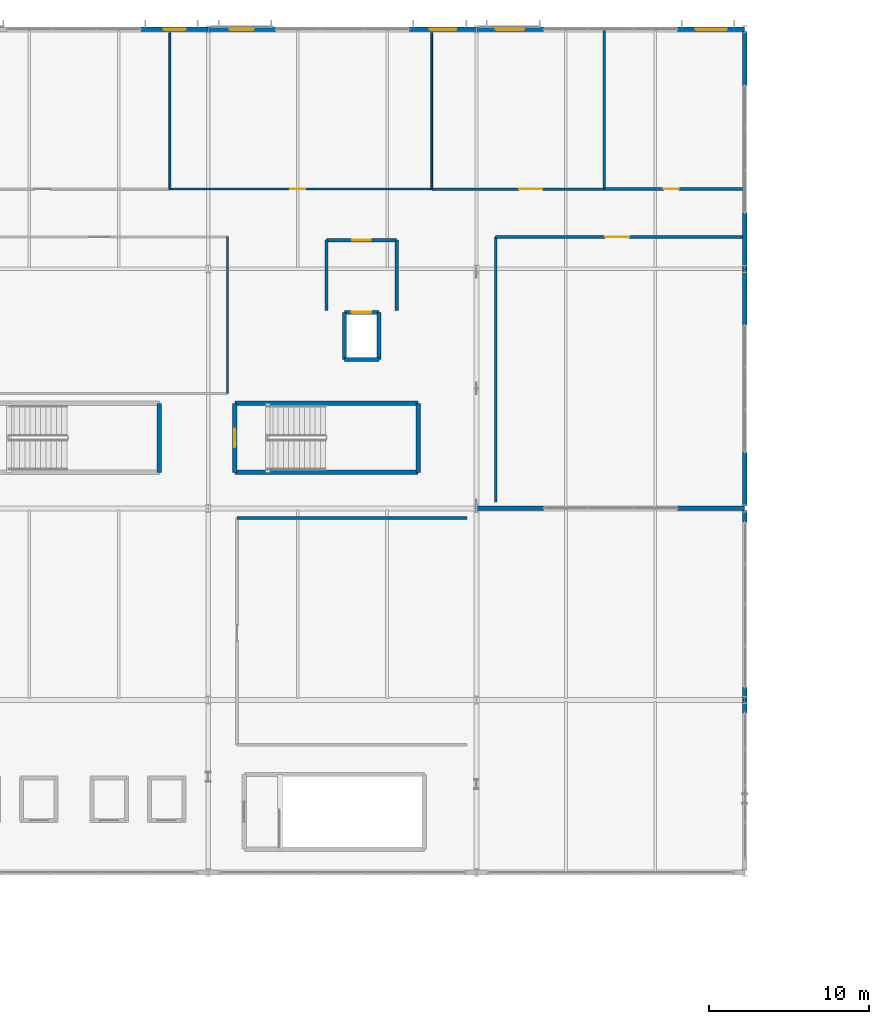
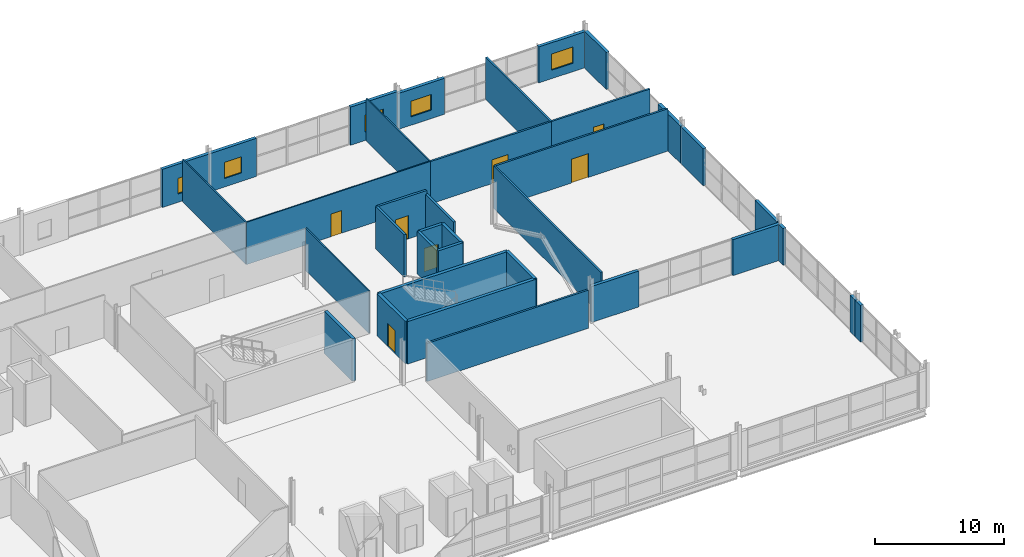
# One storey, part 33 of 39: 36 walls, 7 doors, 5 windows, 12 openings.
"""IFC4 building model written with IfcOpenShell, lengths in metres."""

from ifc_helpers import new_model, si_unit, direction, frame, frame_2d, origin, place, context, subcontext, project, spatial, rectangle, extrude, material, layer, layer_set, type_object, element, fill, save


model = new_model("IFC4")

# Units and contexts
model_context = context("Model", 3, precision=1e-05, world=origin(), true_north=direction((0.0, 1.0)))
body_context = subcontext(model_context, "Body", "Model", "MODEL_VIEW")
ifc_project = project(units=[si_unit("LENGTHUNIT", "METRE"), si_unit("AREAUNIT", "SQUARE_METRE"), si_unit("VOLUMEUNIT", "CUBIC_METRE"), si_unit("PLANEANGLEUNIT", "RADIAN"), si_unit("MASSUNIT", "GRAM", prefix="KILO")], contexts=[model_context])

# Site, building, storey
site_placement = place(None, origin())
site = spatial("IfcSite", under=ifc_project, at=site_placement, CompositionType="ELEMENT")
building_placement = place(site_placement, origin())
building = spatial("IfcBuilding", under=site, at=building_placement, Name="Kimbaza Rail Terminus", CompositionType="ELEMENT")
storey_placement = place(building_placement, frame((0.0, 0.0, 16.800048828125)))
storey = spatial("IfcBuildingStorey", under=building, at=storey_placement, Name="L03", CompositionType="ELEMENT", Elevation=16.800048828125)

# Wall, opening, window
ifc_material_1 = material(Name="Precast concrete C40/50", Category="concrete")
ifc_layer_1 = layer(ifc_material_1, 0.280029296875)
ifc_layer_set_1 = layer_set([ifc_layer_1], Name="Precast concrete C40/50")
wall_type_1 = type_object("IfcWallType", Name="ARC-WL-EXT280", PredefinedType="STANDARD", material=ifc_layer_set_1)
wall_1_placement = place(storey_placement, frame((118.199951171875, 133.0, 0.0), z_axis=(0.0, 0.0, 1.0), x_axis=(1.0, 0.0, 0.0)))
wall_1 = element("IfcWall", 1, at=wall_1_placement, inside=storey, type_object=wall_type_1, Name="Operations North Pier L03 3B", PredefinedType="STANDARD", context=body_context, shape_type="SweptSolid", body=[
    extrude(rectangle(XDim=4.199951171875, YDim=0.280029296875, at=frame_2d((2.10009765625, 0.0))), origin(), (0.0, 0.0, 1.0), 3.60498046875),
])
opening_1_placement = place(wall_1_placement, frame((1.409912109375, 0.0, 0.800048828125)))
opening_1 = element("IfcOpeningElement", 2, at=opening_1_placement, cuts=wall_1, Name="Opening W-39", PredefinedType="OPENING", context=body_context, shape_type="SweptSolid", body=[
    extrude(rectangle(XDim=1.3798828125, YDim=1.469970703125, at=frame_2d((0.68994140625, 0.73486328125))), frame((0.0, 0.14990234375, 0.0), z_axis=(0.0, -1.0, 0.0), x_axis=(1.0, 0.0, 0.0)), (0.0, 0.0, 1.0), 0.300048828125),
])
ifc_material_2 = material(Name="Thermally broken aluminium and solar low-E glass", Category="aluminium")
window_type_1 = type_object("IfcWindowType", Name="ARC-WIN-W-39", PartitioningType="SINGLE_PANEL", PredefinedType="WINDOW", material=ifc_material_2)
window_1_placement = place(opening_1_placement, origin())
window_1 = element("IfcWindow", 3, at=window_1_placement, inside=storey, type_object=window_type_1, Name="North Facade Window W-39", OverallHeight=1.469970703125, OverallWidth=1.3798828125, PartitioningType="SINGLE_PANEL", PredefinedType="WINDOW", context=body_context, shape_type="SweptSolid", body=[
    extrude(rectangle(XDim=1.3798828125, YDim=1.469970703125, at=frame_2d((0.68994140625, 0.73486328125))), frame((0.0, 0.030029296875, 0.0), z_axis=(0.0, -1.0, 0.0), x_axis=(1.0, 0.0, 0.0)), (0.0, 0.0, 1.0), 0.06005859375),
])
fill(opening_1, window_1)

wall_2_placement = place(storey_placement, frame((122.39990234375, 133.0, 0.0), z_axis=(0.0, 0.0, 1.0), x_axis=(1.0, 0.0, 0.0)))
wall_2 = element("IfcWall", 4, at=wall_2_placement, inside=storey, type_object=wall_type_1, Name="Operations North Pier L03 4A", PredefinedType="STANDARD", context=body_context, shape_type="SweptSolid", body=[
    extrude(rectangle(XDim=4.2001953125, YDim=0.280029296875, at=frame_2d((2.10009765625, 0.0))), origin(), (0.0, 0.0, 1.0), 3.60498046875),
])
opening_2_placement = place(wall_2_placement, frame((1.340087890625, 0.0, 0.800048828125)))
opening_2 = element("IfcOpeningElement", 5, at=opening_2_placement, cuts=wall_2, Name="Opening W-40", PredefinedType="OPENING", context=body_context, shape_type="SweptSolid", body=[
    extrude(rectangle(XDim=1.52001953125, YDim=1.530029296875, at=frame_2d((0.760009765625, 0.76513671875))), frame((0.0, 0.14990234375, 0.0), z_axis=(0.0, -1.0, 0.0), x_axis=(1.0, 0.0, 0.0)), (0.0, 0.0, 1.0), 0.300048828125),
])
ifc_material_3 = material(Name="Thermally broken aluminium and solar low-E glass", Category="aluminium")
window_type_2 = type_object("IfcWindowType", Name="ARC-WIN-W-40", PartitioningType="SINGLE_PANEL", PredefinedType="WINDOW", material=ifc_material_3)
window_2_placement = place(opening_2_placement, origin())
window_2 = element("IfcWindow", 6, at=window_2_placement, inside=storey, type_object=window_type_2, Name="North Facade Window W-40", OverallHeight=1.530029296875, OverallWidth=1.52001953125, PartitioningType="SINGLE_PANEL", PredefinedType="WINDOW", context=body_context, shape_type="SweptSolid", body=[
    extrude(rectangle(XDim=1.52001953125, YDim=1.530029296875, at=frame_2d((0.760009765625, 0.76513671875))), frame((0.0, 0.030029296875, 0.0), z_axis=(0.0, -1.0, 0.0), x_axis=(1.0, 0.0, 0.0)), (0.0, 0.0, 1.0), 0.06005859375),
])
fill(opening_2, window_2)

wall_3_placement = place(storey_placement, frame((135.0, 133.0, 0.0), z_axis=(0.0, 0.0, 1.0), x_axis=(1.0, 0.0, 0.0)))
wall_3 = element("IfcWall", 7, at=wall_3_placement, inside=storey, type_object=wall_type_1, Name="Operations North Pier L03 4B", PredefinedType="STANDARD", context=body_context, shape_type="SweptSolid", body=[
    extrude(rectangle(XDim=4.199951171875, YDim=0.280029296875, at=frame_2d((2.10009765625, 0.0))), origin(), (0.0, 0.0, 1.0), 3.60498046875),
])
opening_3_placement = place(wall_3_placement, frame((1.27001953125, 0.0, 0.800048828125)))
opening_3 = element("IfcOpeningElement", 8, at=opening_3_placement, cuts=wall_3, Name="Opening W-41", PredefinedType="OPENING", context=body_context, shape_type="SweptSolid", body=[
    extrude(rectangle(XDim=1.659912109375, YDim=1.590087890625, at=frame_2d((0.830078125, 0.794921875))), frame((0.0, 0.14990234375, 0.0), z_axis=(0.0, -1.0, 0.0), x_axis=(1.0, 0.0, 0.0)), (0.0, 0.0, 1.0), 0.300048828125),
])
ifc_material_4 = material(Name="Thermally broken aluminium and solar low-E glass", Category="aluminium")
window_type_3 = type_object("IfcWindowType", Name="ARC-WIN-W-41", PartitioningType="SINGLE_PANEL", PredefinedType="WINDOW", material=ifc_material_4)
window_3_placement = place(opening_3_placement, origin())
window_3 = element("IfcWindow", 9, at=window_3_placement, inside=storey, type_object=window_type_3, Name="North Facade Window W-41", OverallHeight=1.590087890625, OverallWidth=1.659912109375, PartitioningType="SINGLE_PANEL", PredefinedType="WINDOW", context=body_context, shape_type="SweptSolid", body=[
    extrude(rectangle(XDim=1.659912109375, YDim=1.590087890625, at=frame_2d((0.830078125, 0.794921875))), frame((0.0, 0.030029296875, 0.0), z_axis=(0.0, -1.0, 0.0), x_axis=(1.0, 0.0, 0.0)), (0.0, 0.0, 1.0), 0.06005859375),
])
fill(opening_3, window_3)

wall_4_placement = place(storey_placement, frame((139.199951171875, 133.0, 0.0), z_axis=(0.0, 0.0, 1.0), x_axis=(1.0, 0.0, 0.0)))
wall_4 = element("IfcWall", 10, at=wall_4_placement, inside=storey, type_object=wall_type_1, Name="Operations North Pier L03 5A", PredefinedType="STANDARD", context=body_context, shape_type="SweptSolid", body=[
    extrude(rectangle(XDim=4.199951171875, YDim=0.280029296875, at=frame_2d((2.10009765625, 0.0))), origin(), (0.0, 0.0, 1.0), 3.39501953125),
])
opening_4_placement = place(wall_4_placement, frame((1.199951171875, 0.0, 0.800048828125)))
opening_4 = element("IfcOpeningElement", 11, at=opening_4_placement, cuts=wall_4, Name="Opening W-42", PredefinedType="OPENING", context=body_context, shape_type="SweptSolid", body=[
    extrude(rectangle(XDim=1.800048828125, YDim=1.469970703125, at=frame_2d((0.89990234375, 0.73486328125))), frame((0.0, 0.14990234375, 0.0), z_axis=(0.0, -1.0, 0.0), x_axis=(1.0, 0.0, 0.0)), (0.0, 0.0, 1.0), 0.300048828125),
])
ifc_material_5 = material(Name="Thermally broken aluminium and solar low-E glass", Category="aluminium")
window_type_4 = type_object("IfcWindowType", Name="ARC-WIN-W-42", PartitioningType="SINGLE_PANEL", PredefinedType="WINDOW", material=ifc_material_5)
window_4_placement = place(opening_4_placement, origin())
window_4 = element("IfcWindow", 12, at=window_4_placement, inside=storey, type_object=window_type_4, Name="North Facade Window W-42", OverallHeight=1.469970703125, OverallWidth=1.800048828125, PartitioningType="SINGLE_PANEL", PredefinedType="WINDOW", context=body_context, shape_type="SweptSolid", body=[
    extrude(rectangle(XDim=1.800048828125, YDim=1.469970703125, at=frame_2d((0.89990234375, 0.73486328125))), frame((0.0, 0.030029296875, 0.0), z_axis=(0.0, -1.0, 0.0), x_axis=(1.0, 0.0, 0.0)), (0.0, 0.0, 1.0), 0.06005859375),
])
fill(opening_4, window_4)

wall_5_placement = place(storey_placement, frame((151.800048828125, 133.0, 0.0), z_axis=(0.0, 0.0, 1.0), x_axis=(1.0, 0.0, 0.0)))
wall_5 = element("IfcWall", 13, at=wall_5_placement, inside=storey, type_object=wall_type_1, Name="Operations North Pier L03 5B", PredefinedType="STANDARD", context=body_context, shape_type="SweptSolid", body=[
    extrude(rectangle(XDim=4.199951171875, YDim=0.280029296875, at=frame_2d((2.10009765625, 0.0))), origin(), (0.0, 0.0, 1.0), 3.39501953125),
])
opening_5_placement = place(wall_5_placement, frame((1.1298828125, 0.0, 0.800048828125)))
opening_5 = element("IfcOpeningElement", 14, at=opening_5_placement, cuts=wall_5, Name="Opening W-43", PredefinedType="OPENING", context=body_context, shape_type="SweptSolid", body=[
    extrude(rectangle(XDim=1.93994140625, YDim=1.530029296875, at=frame_2d((0.969970703125, 0.76513671875))), frame((0.0, 0.14990234375, 0.0), z_axis=(0.0, -1.0, 0.0), x_axis=(1.0, 0.0, 0.0)), (0.0, 0.0, 1.0), 0.300048828125),
])
ifc_material_6 = material(Name="Thermally broken aluminium and solar low-E glass", Category="aluminium")
window_type_5 = type_object("IfcWindowType", Name="ARC-WIN-W-43", PartitioningType="SINGLE_PANEL", PredefinedType="WINDOW", material=ifc_material_6)
window_5_placement = place(opening_5_placement, origin())
window_5 = element("IfcWindow", 15, at=window_5_placement, inside=storey, type_object=window_type_5, Name="North Facade Window W-43", OverallHeight=1.530029296875, OverallWidth=1.93994140625, PartitioningType="SINGLE_PANEL", PredefinedType="WINDOW", context=body_context, shape_type="SweptSolid", body=[
    extrude(rectangle(XDim=1.93994140625, YDim=1.530029296875, at=frame_2d((0.969970703125, 0.76513671875))), frame((0.0, 0.030029296875, 0.0), z_axis=(0.0, -1.0, 0.0), x_axis=(1.0, 0.0, 0.0)), (0.0, 0.0, 1.0), 0.06005859375),
])
fill(opening_5, window_5)

# Walls
for number, where, z_axis, x_axis, name in (
    (16, (139.199951171875, 103.0, 0.0), (0.0, 0.0, 1.0), (1.0, 0.0, 0.0), "Operations South Wall L03 5A"),
    (17, (151.800048828125, 103.0, 0.0), (0.0, 0.0, 1.0), (1.0, 0.0, 0.0), "Operations South Wall L03 5B"),
):
    element("IfcWall", number, at=place(storey_placement, frame(where, z_axis=z_axis, x_axis=x_axis)), inside=storey, type_object=wall_type_1, Name=name, PredefinedType="STANDARD", context=body_context, shape_type="SweptSolid", body=[
        extrude(rectangle(XDim=4.199951171875, YDim=0.280029296875, at=frame_2d((2.10009765625, 0.0))), origin(), (0.0, 0.0, 1.0), 3.39501953125),
    ])
wall_6_placement = place(storey_placement, frame((156.0, 103.139892578125, 0.0), z_axis=(0.0, 0.0, 1.0), x_axis=(0.0, 1.0, 0.0)))
element("IfcWall", 18, at=wall_6_placement, inside=storey, type_object=wall_type_1, Name="Operations E End Pier L03", PredefinedType="STANDARD", context=body_context, shape_type="SweptSolid", body=[
    extrude(rectangle(XDim=3.360107421875, YDim=0.280029296875, at=frame_2d((1.68017578125, 0.0))), origin(), (0.0, 0.0, 1.0), 3.494873046875),
])
for number, where, z_axis, x_axis, name in (
    (19, (156.0, 114.5, 0.0), (0.0, 0.0, 1.0), (0.0, 1.0, 0.0), "Operations E Corner Wall L03"),
    (20, (156.0, 118.0, 0.0), (0.0, 0.0, 1.0), (0.0, 1.0, 0.0), "Operations E End Pier L03"),
):
    element("IfcWall", number, at=place(storey_placement, frame(where, z_axis=z_axis, x_axis=x_axis)), inside=storey, type_object=wall_type_1, Name=name, PredefinedType="STANDARD", context=body_context, shape_type="SweptSolid", body=[
        extrude(rectangle(XDim=3.5, YDim=0.280029296875, at=frame_2d((1.75, 0.0))), origin(), (0.0, 0.0, 1.0), 3.494873046875),
    ])
wall_7_placement = place(storey_placement, frame((156.0, 129.5, 0.0), z_axis=(0.0, 0.0, 1.0), x_axis=(0.0, 1.0, 0.0)))
element("IfcWall", 21, at=wall_7_placement, inside=storey, type_object=wall_type_1, Name="Operations E Corner Wall L03", PredefinedType="STANDARD", context=body_context, shape_type="SweptSolid", body=[
    extrude(rectangle(XDim=3.360107421875, YDim=0.280029296875, at=frame_2d((1.68017578125, 0.0))), origin(), (0.0, 0.0, 1.0), 3.494873046875),
])
for number, where, z_axis, x_axis, name in (
    (22, (156.0, 90.199951171875, 0.0), (0.0, 0.0, 1.0), (0.0, 1.0, 0.0), "Over-Track Footbridge E Panoramic Curtain Wall 1 Corner Pier B"),
    (23, (156.0, 91.0, 0.0), (0.0, 0.0, 1.0), (0.0, 1.0, 0.0), "Over-Track Footbridge E Panoramic Curtain Wall 2 Corner Pier A"),
):
    element("IfcWall", number, at=place(storey_placement, frame(where, z_axis=z_axis, x_axis=x_axis)), inside=storey, type_object=wall_type_1, Name=name, PredefinedType="STANDARD", context=body_context, shape_type="SweptSolid", body=[
        extrude(rectangle(XDim=0.800048828125, YDim=0.280029296875, at=frame_2d((0.39990234375, 0.0))), origin(), (0.0, 0.0, 1.0), 3.449951171875),
    ])
wall_8_placement = place(storey_placement, frame((156.0, 102.139892578125, 0.0), z_axis=(0.0, 0.0, 1.0), x_axis=(0.0, 1.0, 0.0)))
element("IfcWall", 24, at=wall_8_placement, inside=storey, type_object=wall_type_1, Name="Over-Track Footbridge E Panoramic Curtain Wall 2 Corner Pier B", PredefinedType="STANDARD", context=body_context, shape_type="SweptSolid", body=[
    extrude(rectangle(XDim=0.72021484375, YDim=0.280029296875, at=frame_2d((0.360107421875, 0.0))), origin(), (0.0, 0.0, 1.0), 3.449951171875),
])
ifc_material_7 = material(Name="Concrete blockwork C30/37", Category="masonry")
ifc_layer_2 = layer(ifc_material_7, 0.199951171875)
ifc_layer_set_2 = layer_set([ifc_layer_2], Name="Concrete blockwork C30/37")
wall_type_2 = type_object("IfcWallType", Name="ARC-WL-FIRE200", PredefinedType="PARTITIONING", material=ifc_layer_set_2)
wall_9_placement = place(storey_placement, frame((134.199951171875, 115.39990234375, 0.0), z_axis=(0.0, 0.0, 1.0), x_axis=(0.0, 1.0, 0.0)))
element("IfcWall", 25, at=wall_9_placement, inside=storey, type_object=wall_type_2, Name="Firefighting Lobby LF-02 Partition (east)", PredefinedType="PARTITIONING", context=body_context, shape_type="SweptSolid", body=[
    extrude(rectangle(XDim=4.400146484375, YDim=0.199951171875, at=frame_2d((2.2001953125, 0.0))), origin(), (0.0, 0.0, 1.0), 3.6650390625),
])

# Wall, opening, door
wall_10_placement = place(storey_placement, frame((134.199951171875, 119.800048828125, 0.0), z_axis=(0.0, 0.0, 1.0), x_axis=(-1.0, 0.0, 0.0)))
wall_10 = element("IfcWall", 26, at=wall_10_placement, inside=storey, type_object=wall_type_2, Name="Firefighting Lobby LF-02 Partition (north)", PredefinedType="PARTITIONING", context=body_context, shape_type="SweptSolid", body=[
    extrude(rectangle(XDim=4.39990234375, YDim=0.199951171875, at=frame_2d((2.199951171875, 0.0))), origin(), (0.0, 0.0, 1.0), 4.0),
])
opening_6_placement = place(wall_10_placement, frame((2.77490234375, 0.0, 0.0), z_axis=(0.0, 0.0, 1.0), x_axis=(-1.0, 0.0, 0.0)))
opening_6 = element("IfcOpeningElement", 27, at=opening_6_placement, cuts=wall_10, Name="Opening FD-03", PredefinedType="OPENING", context=body_context, shape_type="SweptSolid", body=[
    extrude(rectangle(XDim=1.14990234375, YDim=2.199951171875, at=frame_2d((0.574951171875, 1.10009765625))), frame((0.0, 0.10986328125, 0.0), z_axis=(0.0, -1.0, 0.0), x_axis=(1.0, 0.0, 0.0)), (0.0, 0.0, 1.0), 0.219970703125),
])
ifc_material_8 = material(Name="Firefighting lobby self-closing steel door", Category="steel")
door_type_1 = type_object("IfcDoorType", Name="ARC-DR-FD115", OperationType="NOTDEFINED", PredefinedType="DOOR", material=ifc_material_8)
door_1_placement = place(opening_6_placement, origin())
door_1 = element("IfcDoor", 28, at=door_1_placement, inside=storey, type_object=door_type_1, Name="IDR-SPC-FFL-LF-02-L03", OperationType="SINGLE_SWING_RIGHT", OverallHeight=2.199951171875, OverallWidth=1.14990234375, PredefinedType="DOOR", context=body_context, shape_type="SweptSolid", body=[
    extrude(rectangle(XDim=1.14990234375, YDim=2.199951171875, at=frame_2d((0.574951171875, 1.10009765625))), frame((0.0, 0.02490234375, 0.0), z_axis=(0.0, -1.0, 0.0), x_axis=(1.0, 0.0, 0.0)), (0.0, 0.0, 1.0), 0.050048828125),
])
fill(opening_6, door_1)

# Wall
wall_11_placement = place(storey_placement, frame((129.800048828125, 119.800048828125, 0.0), z_axis=(0.0, 0.0, 1.0), x_axis=(0.0, -1.0, 0.0)))
element("IfcWall", 29, at=wall_11_placement, inside=storey, type_object=wall_type_2, Name="Firefighting Lobby LF-02 Partition (west)", PredefinedType="PARTITIONING", context=body_context, shape_type="SweptSolid", body=[
    extrude(rectangle(XDim=4.400146484375, YDim=0.199951171875, at=frame_2d((2.2001953125, 0.0))), origin(), (0.0, 0.0, 1.0), 4.0),
])

# Wall, opening, door
ifc_material_9 = material(Name="Demountable acoustic glass wall", Category="glass")
ifc_layer_3 = layer(ifc_material_9, 0.110107421875)
ifc_layer_set_3 = layer_set([ifc_layer_3], Name="Demountable acoustic glass wall")
wall_type_3 = type_object("IfcWallType", Name="ARC-WL-MOV110", PredefinedType="MOVABLE", material=ifc_layer_set_3)
wall_12_placement = place(storey_placement, frame((120.0, 123.0, 0.0), z_axis=(0.0, 0.0, 1.0), x_axis=(1.0, 0.0, 0.0)))
wall_12 = element("IfcWall", 30, at=wall_12_placement, inside=storey, type_object=wall_type_3, Name="Regional Network Coordination Office Partition (south)", PredefinedType="MOVABLE", context=body_context, shape_type="SweptSolid", body=[
    extrude(rectangle(XDim=16.39990234375, YDim=0.110107421875, at=frame_2d((8.199951171875, 0.0))), origin(), (0.0, 0.0, 1.0), 4.0),
])
opening_7_placement = place(wall_12_placement, frame((7.52490234375, 0.0, 0.0)))
opening_7 = element("IfcOpeningElement", 31, at=opening_7_placement, cuts=wall_12, Name="Opening ID-06", PredefinedType="OPENING", context=body_context, shape_type="SweptSolid", body=[
    extrude(rectangle(XDim=0.949951171875, YDim=2.14990234375, at=frame_2d((0.47509765625, 1.074951171875))), frame((0.0, 0.06494140625, 0.0), z_axis=(0.0, -1.0, 0.0), x_axis=(1.0, 0.0, 0.0)), (0.0, 0.0, 1.0), 0.130126953125),
])
ifc_material_10 = material(Name="Accessible washroom outward-capable door", Category="wood")
door_type_2 = type_object("IfcDoorType", Name="ARC-DR-ID095", OperationType="NOTDEFINED", PredefinedType="DOOR", material=ifc_material_10)
door_2_placement = place(opening_7_placement, origin())
door_2 = element("IfcDoor", 32, at=door_2_placement, inside=storey, type_object=door_type_2, Name="IDR-SPC-V5N-L03-04", OperationType="SINGLE_SWING_LEFT", OverallHeight=2.14990234375, OverallWidth=0.949951171875, PredefinedType="DOOR", context=body_context, shape_type="SweptSolid", body=[
    extrude(rectangle(XDim=0.949951171875, YDim=2.14990234375, at=frame_2d((0.47509765625, 1.074951171875))), frame((0.0, 0.02490234375, 0.0), z_axis=(0.0, -1.0, 0.0), x_axis=(1.0, 0.0, 0.0)), (0.0, 0.0, 1.0), 0.050048828125),
])
fill(opening_7, door_2)

# Walls
for number, where, z_axis, x_axis, name in (
    (33, (136.39990234375, 123.0, 0.0), (0.0, 0.0, 1.0), (0.0, 1.0, 0.0), "Regional Network Coordination Office Partition (east)"),
    (34, (123.60009765625, 110.199951171875, 0.0), (0.0, 0.0, 1.0), (0.0, 1.0, 0.0), "L03 Rolling Stock Rostering Studio Partition (east)"),
):
    element("IfcWall", number, at=place(storey_placement, frame(where, z_axis=z_axis, x_axis=x_axis)), inside=storey, type_object=wall_type_3, Name=name, PredefinedType="MOVABLE", context=body_context, shape_type="SweptSolid", body=[
        extrude(rectangle(XDim=9.800048828125, YDim=0.110107421875, at=frame_2d((4.89990234375, 0.0))), origin(), (0.0, 0.0, 1.0), 4.0),
    ])
ifc_material_11 = material(Name="Moisture-resistant stud wall", Category="gypsum")
ifc_layer_4 = layer(ifc_material_11, 0.1201171875)
ifc_layer_set_4 = layer_set([ifc_layer_4], Name="Moisture-resistant stud wall")
wall_type_4 = type_object("IfcWallType", Name="ARC-WL-PART120", PredefinedType="PARTITIONING", material=ifc_layer_set_4)
wall_13_placement = place(storey_placement, frame((120.0, 123.0, 0.0), z_axis=(0.0, 0.0, 1.0), x_axis=(0.0, 1.0, 0.0)))
element("IfcWall", 35, at=wall_13_placement, inside=storey, type_object=wall_type_4, Name="Incident Management Conferencing Suite Partition (east)", PredefinedType="PARTITIONING", context=body_context, shape_type="SweptSolid", body=[
    extrude(rectangle(XDim=9.800048828125, YDim=0.1201171875, at=frame_2d((4.89990234375, 0.0))), origin(), (0.0, 0.0, 1.0), 4.0),
])

# Wall, opening, door
ifc_material_12 = material(Name="Acoustic gypsum stud partition", Category="gypsum")
ifc_layer_5 = layer(ifc_material_12, 0.159912109375)
ifc_layer_set_5 = layer_set([ifc_layer_5], Name="Acoustic gypsum stud partition")
wall_type_5 = type_object("IfcWallType", Name="ARC-WL-PART160", PredefinedType="PARTITIONING", material=ifc_layer_set_5)
wall_14_placement = place(storey_placement, frame((136.39990234375, 123.0, 0.0), z_axis=(0.0, 0.0, 1.0), x_axis=(1.0, 0.0, 0.0)))
wall_14 = element("IfcWall", 36, at=wall_14_placement, inside=storey, type_object=wall_type_5, Name="Control Floor Telemetry Rack Room Partition (south)", PredefinedType="PARTITIONING", context=body_context, shape_type="SweptSolid", body=[
    extrude(rectangle(XDim=10.800048828125, YDim=0.159912109375, at=frame_2d((5.39990234375, 0.0))), origin(), (0.0, 0.0, 1.0), 4.0),
])
opening_8_placement = place(wall_14_placement, frame((6.925048828125, 0.0, 0.0), z_axis=(0.0, 0.0, 1.0), x_axis=(-1.0, 0.0, 0.0)))
opening_8 = element("IfcOpeningElement", 37, at=opening_8_placement, cuts=wall_14, Name="Opening ID-07", PredefinedType="OPENING", context=body_context, shape_type="SweptSolid", body=[
    extrude(rectangle(XDim=1.449951171875, YDim=2.25, at=frame_2d((0.72509765625, 1.125))), frame((0.0, 0.08984375, 0.0), z_axis=(0.0, -1.0, 0.0), x_axis=(1.0, 0.0, 0.0)), (0.0, 0.0, 1.0), 0.179931640625),
])
ifc_material_13 = material(Name="Retail shopfront glazed entrance door", Category="aluminium")
door_type_3 = type_object("IfcDoorType", Name="ARC-DR-ID145", OperationType="NOTDEFINED", PredefinedType="DOOR", material=ifc_material_13)
door_3_placement = place(opening_8_placement, origin())
door_3 = element("IfcDoor", 38, at=door_3_placement, inside=storey, type_object=door_type_3, Name="IDR-SPC-V5N-L03-05", OperationType="SINGLE_SWING_RIGHT", OverallHeight=2.25, OverallWidth=1.449951171875, PredefinedType="DOOR", context=body_context, shape_type="SweptSolid", body=[
    extrude(rectangle(XDim=1.449951171875, YDim=2.25, at=frame_2d((0.72509765625, 1.125))), frame((0.0, 0.02490234375, 0.0), z_axis=(0.0, -1.0, 0.0), x_axis=(1.0, 0.0, 0.0)), (0.0, 0.0, 1.0), 0.050048828125),
])
fill(opening_8, door_3)

# Wall
wall_15_placement = place(storey_placement, frame((147.199951171875, 123.0, 0.0), z_axis=(0.0, 0.0, 1.0), x_axis=(0.0, 1.0, 0.0)))
element("IfcWall", 39, at=wall_15_placement, inside=storey, type_object=wall_type_5, Name="Control Floor Telemetry Rack Room Partition (east)", PredefinedType="PARTITIONING", context=body_context, shape_type="SweptSolid", body=[
    extrude(rectangle(XDim=9.97998046875, YDim=0.159912109375, at=frame_2d((4.989990234375, 0.0))), origin(), (0.0, 0.0, 1.0), 4.0),
])

# Wall, opening, door
wall_16_placement = place(storey_placement, frame((155.860107421875, 120.0, 0.0), z_axis=(0.0, 0.0, 1.0), x_axis=(-1.0, 0.0, 0.0)))
wall_16 = element("IfcWall", 40, at=wall_16_placement, inside=storey, type_object=wall_type_5, Name="L03 East Telecoms Technical Office Partition (north)", PredefinedType="PARTITIONING", context=body_context, shape_type="SweptSolid", body=[
    extrude(rectangle(XDim=15.460205078125, YDim=0.159912109375, at=frame_2d((7.72998046875, 0.0))), origin(), (0.0, 0.0, 1.0), 4.0),
])
opening_9_placement = place(wall_16_placement, frame((8.610107421875, 0.0, 0.0), z_axis=(0.0, 0.0, 1.0), x_axis=(-1.0, 0.0, 0.0)))
opening_9 = element("IfcOpeningElement", 41, at=opening_9_placement, cuts=wall_16, Name="Opening ID-01", PredefinedType="OPENING", context=body_context, shape_type="SweptSolid", body=[
    extrude(rectangle(XDim=1.5, YDim=2.25, at=frame_2d((0.75, 1.125))), frame((0.0, 0.08984375, 0.0), z_axis=(0.0, -1.0, 0.0), x_axis=(1.0, 0.0, 0.0)), (0.0, 0.0, 1.0), 0.179931640625),
])
ifc_material_14 = material(Name="Anodised aluminium glazed concourse door", Category="aluminium")
door_type_4 = type_object("IfcDoorType", Name="ARC-DR-ID150", OperationType="NOTDEFINED", PredefinedType="DOOR", material=ifc_material_14)
door_4_placement = place(opening_9_placement, origin())
door_4 = element("IfcDoor", 42, at=door_4_placement, inside=storey, type_object=door_type_4, Name="IDR-SPC-V5S-L03-5", OperationType="SINGLE_SWING_RIGHT", OverallHeight=2.25, OverallWidth=1.5, PredefinedType="DOOR", context=body_context, shape_type="SweptSolid", body=[
    extrude(rectangle(XDim=1.5, YDim=2.25, at=frame_2d((0.75, 1.125))), frame((0.0, 0.02490234375, 0.0), z_axis=(0.0, -1.0, 0.0), x_axis=(1.0, 0.0, 0.0)), (0.0, 0.0, 1.0), 0.050048828125),
])
fill(opening_9, door_4)

# Wall
wall_17_placement = place(storey_placement, frame((140.39990234375, 120.0, 0.0), z_axis=(0.0, 0.0, 1.0), x_axis=(0.0, -1.0, 0.0)))
element("IfcWall", 43, at=wall_17_placement, inside=storey, type_object=wall_type_5, Name="L03 East Telecoms Technical Office Partition (west)", PredefinedType="PARTITIONING", context=body_context, shape_type="SweptSolid", body=[
    extrude(rectangle(XDim=16.60009765625, YDim=0.159912109375, at=frame_2d((8.300048828125, 0.0))), origin(), (0.0, 0.0, 1.0), 4.0),
])

# Wall, opening, door
ifc_material_15 = material(Name="Moisture-resistant blockwork C25/30", Category="masonry")
ifc_layer_6 = layer(ifc_material_15, 0.169921875)
ifc_layer_set_6 = layer_set([ifc_layer_6], Name="Moisture-resistant blockwork C25/30")
wall_type_6 = type_object("IfcWallType", Name="ARC-WL-PLMB170", PredefinedType="PLUMBINGWALL", material=ifc_layer_set_6)
wall_18_placement = place(storey_placement, frame((147.199951171875, 123.0, 0.0), z_axis=(0.0, 0.0, 1.0), x_axis=(1.0, 0.0, 0.0)))
wall_18 = element("IfcWall", 44, at=wall_18_placement, inside=storey, type_object=wall_type_6, Name="Control Floor Staff and Accessible WC Partition (south)", PredefinedType="PLUMBINGWALL", context=body_context, shape_type="SweptSolid", body=[
    extrude(rectangle(XDim=8.780029296875, YDim=0.169921875, at=frame_2d((4.39013671875, 0.0))), origin(), (0.0, 0.0, 1.0), 4.0),
])
opening_10_placement = place(wall_18_placement, frame((3.72509765625, 0.0, 0.0)))
opening_10 = element("IfcOpeningElement", 45, at=opening_10_placement, cuts=wall_18, Name="Opening ID-06", PredefinedType="OPENING", context=body_context, shape_type="SweptSolid", body=[
    extrude(rectangle(XDim=0.949951171875, YDim=2.14990234375, at=frame_2d((0.47509765625, 1.074951171875))), frame((0.0, 0.094970703125, 0.0), z_axis=(0.0, -1.0, 0.0), x_axis=(1.0, 0.0, 0.0)), (0.0, 0.0, 1.0), 0.18994140625),
])
door_5_placement = place(opening_10_placement, origin())
door_5 = element("IfcDoor", 46, at=door_5_placement, inside=storey, type_object=door_type_2, Name="IDR-SPC-V5N-L03-06", OperationType="SINGLE_SWING_LEFT", OverallHeight=2.14990234375, OverallWidth=0.949951171875, PredefinedType="DOOR", context=body_context, shape_type="SweptSolid", body=[
    extrude(rectangle(XDim=0.949951171875, YDim=2.14990234375, at=frame_2d((0.47509765625, 1.074951171875))), frame((0.0, 0.02490234375, 0.0), z_axis=(0.0, -1.0, 0.0), x_axis=(1.0, 0.0, 0.0)), (0.0, 0.0, 1.0), 0.050048828125),
])
fill(opening_10, door_5)

# Walls
wall_19_placement = place(storey_placement, frame((138.60009765625, 102.39990234375, 0.0), z_axis=(0.0, 0.0, 1.0), x_axis=(-1.0, 0.0, 0.0)))
element("IfcWall", 47, at=wall_19_placement, inside=storey, type_object=wall_type_6, Name="Footbridge Passenger and Accessible WC Partition (north)", PredefinedType="PLUMBINGWALL", context=body_context, shape_type="SweptSolid", body=[
    extrude(rectangle(XDim=14.400146484375, YDim=0.169921875, at=frame_2d((7.2001953125, 0.0))), origin(), (0.0, 0.0, 1.0), 3.60498046875),
])
ifc_material_16 = material(Name="Concrete C40/50", Category="concrete")
ifc_layer_7 = layer(ifc_material_16, 0.25)
ifc_layer_set_7 = layer_set([ifc_layer_7], Name="Concrete C40/50")
wall_type_7 = type_object("IfcWallType", Name="STR-WL-CORE250", PredefinedType="SHEAR", material=ifc_layer_set_7)
wall_20_placement = place(storey_placement, frame((130.919921875, 112.320068359375, 0.0), z_axis=(0.0, 0.0, 1.0), x_axis=(1.0, 0.0, 0.0)))
element("IfcWall", 48, at=wall_20_placement, inside=storey, type_object=wall_type_7, Name="Lift Shaft Wall LF-02 L03-1", PredefinedType="SHEAR", context=body_context, shape_type="SweptSolid", body=[
    extrude(rectangle(XDim=2.16015625, YDim=0.25, at=frame_2d((1.080078125, 0.0))), origin(), (0.0, 0.0, 1.0), 4.0),
])
wall_21_placement = place(storey_placement, frame((133.080078125, 112.320068359375, 0.0), z_axis=(0.0, 0.0, 1.0), x_axis=(0.0, 1.0, 0.0)))
element("IfcWall", 49, at=wall_21_placement, inside=storey, type_object=wall_type_7, Name="Lift Shaft Wall LF-02 L03-2", PredefinedType="SHEAR", context=body_context, shape_type="SweptSolid", body=[
    extrude(rectangle(XDim=2.9599609375, YDim=0.25, at=frame_2d((1.47998046875, 0.0))), origin(), (0.0, 0.0, 1.0), 4.0),
])

# Wall, opening, door
wall_22_placement = place(storey_placement, frame((133.080078125, 115.280029296875, 0.0), z_axis=(0.0, 0.0, 1.0), x_axis=(-1.0, 0.0, 0.0)))
wall_22 = element("IfcWall", 50, at=wall_22_placement, inside=storey, type_object=wall_type_7, Name="Lift Shaft Wall LF-02 L03-3", PredefinedType="SHEAR", context=body_context, shape_type="SweptSolid", body=[
    extrude(rectangle(XDim=2.16015625, YDim=0.25, at=frame_2d((1.080078125, 0.0))), origin(), (0.0, 0.0, 1.0), 4.0),
])
opening_11_placement = place(wall_22_placement, frame((0.47998046875, 0.0, 0.0)))
opening_11 = element("IfcOpeningElement", 51, at=opening_11_placement, cuts=wall_22, Name="Opening LD-02", PredefinedType="OPENING", context=body_context, shape_type="SweptSolid", body=[
    extrude(rectangle(XDim=1.199951171875, YDim=2.199951171875, at=frame_2d((0.60009765625, 1.10009765625))), frame((0.0, 0.135009765625, 0.0), z_axis=(0.0, -1.0, 0.0), x_axis=(1.0, 0.0, 0.0)), (0.0, 0.0, 1.0), 0.27001953125),
])
ifc_material_17 = material(Name="Firefighting stainless steel landing door", Category="steel")
door_type_5 = type_object("IfcDoorType", Name="ARC-DR-LD120", OperationType="NOTDEFINED", PredefinedType="DOOR", material=ifc_material_17)
door_6_placement = place(opening_11_placement, origin())
door_6 = element("IfcDoor", 52, at=door_6_placement, inside=storey, type_object=door_type_5, Name="LDR-LF-02-L03", OperationType="SLIDING_TO_LEFT", OverallHeight=2.199951171875, OverallWidth=1.199951171875, PredefinedType="DOOR", context=body_context, shape_type="SweptSolid", body=[
    extrude(rectangle(XDim=1.199951171875, YDim=2.199951171875, at=frame_2d((0.60009765625, 1.10009765625))), frame((0.0, 0.02490234375, 0.0), z_axis=(0.0, -1.0, 0.0), x_axis=(1.0, 0.0, 0.0)), (0.0, 0.0, 1.0), 0.050048828125),
])
fill(opening_11, door_6)

# Walls
wall_23_placement = place(storey_placement, frame((130.919921875, 115.280029296875, 0.0), z_axis=(0.0, 0.0, 1.0), x_axis=(0.0, -1.0, 0.0)))
element("IfcWall", 53, at=wall_23_placement, inside=storey, type_object=wall_type_7, Name="Lift Shaft Wall LF-02 L03-4", PredefinedType="SHEAR", context=body_context, shape_type="SweptSolid", body=[
    extrude(rectangle(XDim=2.9599609375, YDim=0.25, at=frame_2d((1.47998046875, 0.0))), origin(), (0.0, 0.0, 1.0), 4.0),
])
ifc_material_18 = material(Name="Concrete C40/50", Category="concrete")
ifc_layer_8 = layer(ifc_material_18, 0.280029296875)
ifc_layer_set_8 = layer_set([ifc_layer_8], Name="Concrete C40/50")
wall_type_8 = type_object("IfcWallType", Name="STR-WL-CORE280", PredefinedType="SHEAR", material=ifc_layer_set_8)
wall_24_placement = place(storey_placement, frame((119.340087890625, 105.260009765625, 0.0), z_axis=(0.0, 0.0, 1.0), x_axis=(0.0, 1.0, 0.0)))
element("IfcWall", 54, at=wall_24_placement, inside=storey, type_object=wall_type_8, Name="Operations Central Exit Stair Shaft Wall L03-2", PredefinedType="SHEAR", context=body_context, shape_type="SweptSolid", body=[
    extrude(rectangle(XDim=4.320068359375, YDim=0.280029296875, at=frame_2d((2.16015625, 0.0))), origin(), (0.0, 0.0, 1.0), 4.0),
])
wall_25_placement = place(storey_placement, frame((124.06005859375, 105.260009765625, 0.0), z_axis=(0.0, 0.0, 1.0), x_axis=(1.0, 0.0, 0.0)))
element("IfcWall", 55, at=wall_25_placement, inside=storey, type_object=wall_type_8, Name="Operations East Exit Stair Shaft Wall L03-1", PredefinedType="SHEAR", context=body_context, shape_type="SweptSolid", body=[
    extrude(rectangle(XDim=11.47998046875, YDim=0.280029296875, at=frame_2d((5.739990234375, 0.0))), origin(), (0.0, 0.0, 1.0), 4.0),
])
wall_26_placement = place(storey_placement, frame((135.5400390625, 105.260009765625, 0.0), z_axis=(0.0, 0.0, 1.0), x_axis=(0.0, 1.0, 0.0)))
element("IfcWall", 56, at=wall_26_placement, inside=storey, type_object=wall_type_8, Name="Operations East Exit Stair Shaft Wall L03-2", PredefinedType="SHEAR", context=body_context, shape_type="SweptSolid", body=[
    extrude(rectangle(XDim=4.320068359375, YDim=0.280029296875, at=frame_2d((2.16015625, 0.0))), origin(), (0.0, 0.0, 1.0), 4.0),
])
wall_27_placement = place(storey_placement, frame((135.5400390625, 109.580078125, 0.0), z_axis=(0.0, 0.0, 1.0), x_axis=(-1.0, 0.0, 0.0)))
element("IfcWall", 57, at=wall_27_placement, inside=storey, type_object=wall_type_8, Name="Operations East Exit Stair Shaft Wall L03-3", PredefinedType="SHEAR", context=body_context, shape_type="SweptSolid", body=[
    extrude(rectangle(XDim=11.47998046875, YDim=0.280029296875, at=frame_2d((5.739990234375, 0.0))), origin(), (0.0, 0.0, 1.0), 4.0),
])

# Wall, opening, door
wall_28_placement = place(storey_placement, frame((124.06005859375, 109.580078125, 0.0), z_axis=(0.0, 0.0, 1.0), x_axis=(0.0, -1.0, 0.0)))
wall_28 = element("IfcWall", 58, at=wall_28_placement, inside=storey, type_object=wall_type_8, Name="Operations East Exit Stair Shaft Wall L03-4", PredefinedType="SHEAR", context=body_context, shape_type="SweptSolid", body=[
    extrude(rectangle(XDim=4.320068359375, YDim=0.280029296875, at=frame_2d((2.16015625, 0.0))), origin(), (0.0, 0.0, 1.0), 4.0),
])
opening_12_placement = place(wall_28_placement, frame((1.5849609375, 0.0, 0.0)))
opening_12 = element("IfcOpeningElement", 59, at=opening_12_placement, cuts=wall_28, Name="Opening FD-03", PredefinedType="OPENING", context=body_context, shape_type="SweptSolid", body=[
    extrude(rectangle(XDim=1.14990234375, YDim=2.199951171875, at=frame_2d((0.574951171875, 1.10009765625))), frame((0.0, 0.14990234375, 0.0), z_axis=(0.0, -1.0, 0.0), x_axis=(1.0, 0.0, 0.0)), (0.0, 0.0, 1.0), 0.300048828125),
])
door_7_placement = place(opening_12_placement, origin())
door_7 = element("IfcDoor", 60, at=door_7_placement, inside=storey, type_object=door_type_1, Name="SDR-ST-E1-L03", OperationType="SINGLE_SWING_LEFT", OverallHeight=2.199951171875, OverallWidth=1.14990234375, PredefinedType="DOOR", context=body_context, shape_type="SweptSolid", body=[
    extrude(rectangle(XDim=1.14990234375, YDim=2.199951171875, at=frame_2d((0.574951171875, 1.10009765625))), frame((0.0, 0.02490234375, 0.0), z_axis=(0.0, -1.0, 0.0), x_axis=(1.0, 0.0, 0.0)), (0.0, 0.0, 1.0), 0.050048828125),
])
fill(opening_12, door_7)

save(model, "model.ifc")
